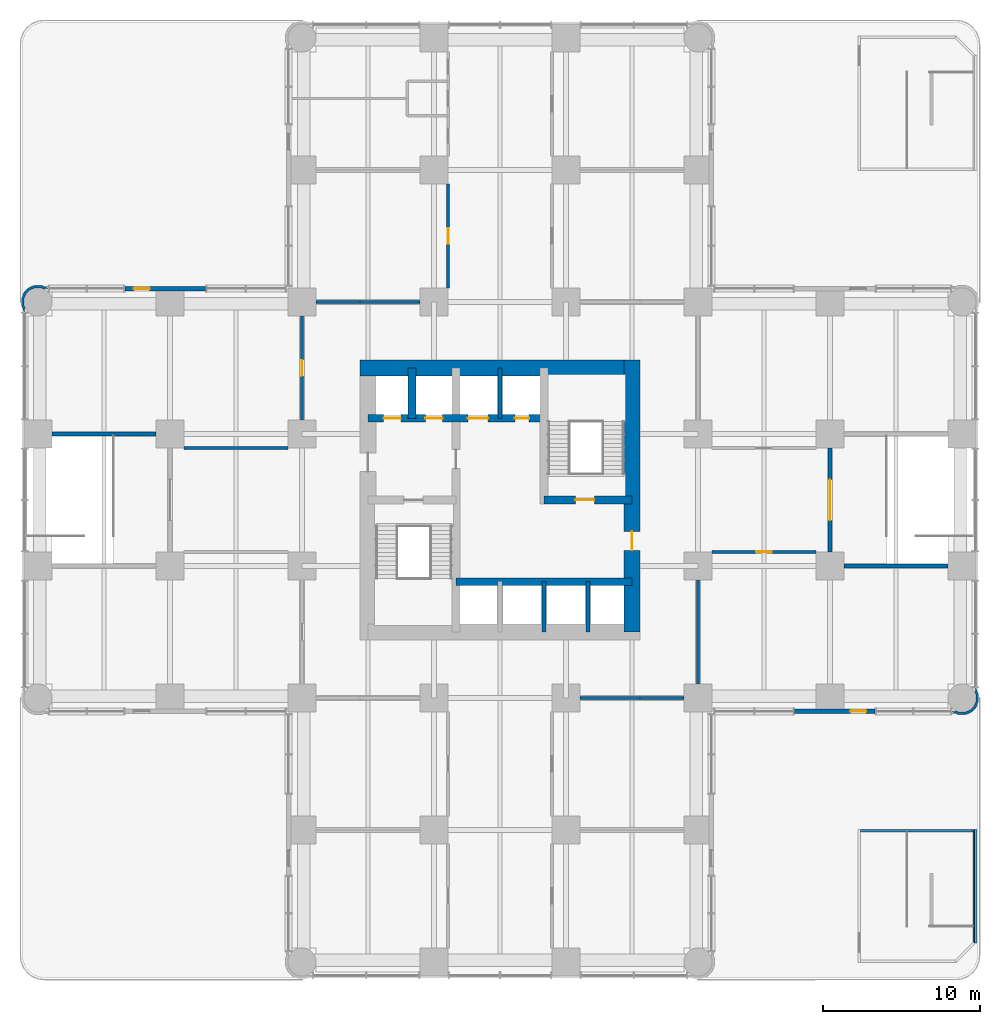
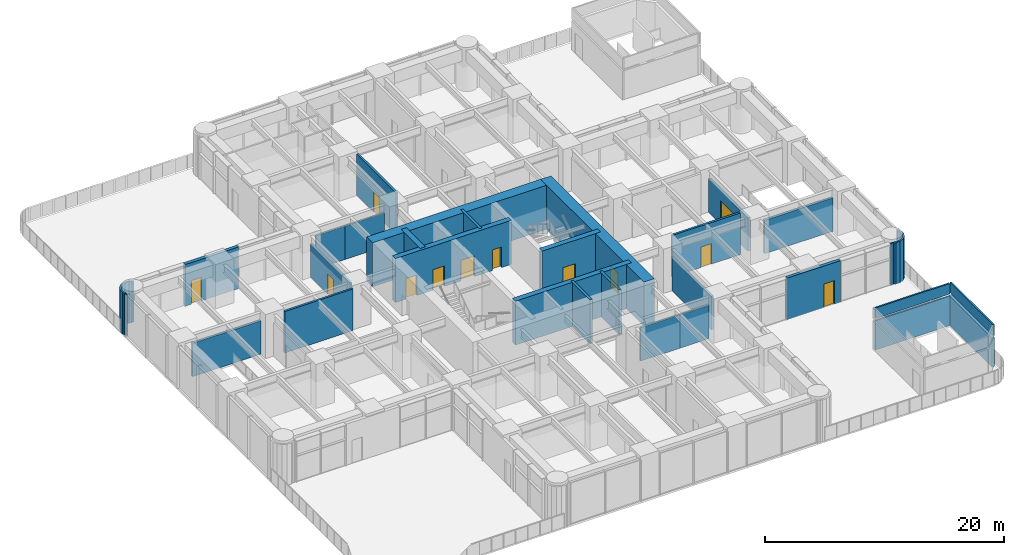
# One storey, part 11 of 21: 29 walls, 12 doors, 12 openings.
"""IFC4 building model written with IfcOpenShell, lengths in metres."""

from ifc_helpers import new_model, si_unit, direction, frame, frame_2d, origin, place, context, subcontext, project, spatial, polyline, rectangle, outline, extrude, material, layer, layer_set, type_object, element, fill, save


model = new_model("IFC4")

# Units and contexts
model_context = context("Model", 3, precision=1e-05, world=origin(), true_north=direction((0.0, 1.0)))
body_context = subcontext(model_context, "Body", "Model", "MODEL_VIEW")
ifc_project = project(units=[si_unit("LENGTHUNIT", "METRE"), si_unit("AREAUNIT", "SQUARE_METRE"), si_unit("VOLUMEUNIT", "CUBIC_METRE"), si_unit("PLANEANGLEUNIT", "RADIAN"), si_unit("MASSUNIT", "GRAM", prefix="KILO")], contexts=[model_context])

# Site, building, storey
site_placement = place(None, origin())
site = spatial("IfcSite", under=ifc_project, at=site_placement, CompositionType="ELEMENT")
building_placement = place(site_placement, origin())
building = spatial("IfcBuilding", under=site, at=building_placement, Name="Torre Alcanfor", CompositionType="ELEMENT")
storey_placement = place(building_placement, frame((0.0, 0.0, 24.0)))
storey = spatial("IfcBuildingStorey", under=building, at=storey_placement, Name="L05", CompositionType="ELEMENT", Elevation=24.0)

# Wall, openings, doors
ifc_material_1 = material(Name="Concrete f'c 70 MPa", Category="concrete")
ifc_layer_1 = layer(ifc_material_1, 0.5)
ifc_layer_set_1 = layer_set([ifc_layer_1], Name="Core inner wall 500 f'c70")
wall_type_1 = type_object("IfcWallType", Name="Core inner wall 500 f'c70", PredefinedType="SHEAR", material=ifc_layer_set_1)
wall_1_placement = place(storey_placement, frame((21.0, 34.60009765625, 0.0), z_axis=(0.0, 0.0, 1.0), x_axis=(1.0, 0.0, 0.0)))
wall_1 = element("IfcWall", 1, at=wall_1_placement, inside=storey, type_object=wall_type_1, Name="Core wall Y346 L05", PredefinedType="SHEAR", context=body_context, shape_type="SweptSolid", body=[
    extrude(rectangle(XDim=11.199951171875, YDim=0.5, at=frame_2d((5.60009765625, 0.0))), origin(), (0.0, 0.0, 1.0), 4.5),
])
opening_1_placement = place(wall_1_placement, frame((9.35009765625, 0.0, 0.0)))
opening_1 = element("IfcOpeningElement", 2, at=opening_1_placement, cuts=wall_1, Name="Opening D-Q1", PredefinedType="OPENING", context=body_context, shape_type="SweptSolid", body=[
    extrude(rectangle(XDim=0.89990234375, YDim=2.10009765625, at=frame_2d((0.449951171875, 1.050048828125))), frame((0.0, 0.260009765625, 0.0), z_axis=(0.0, -1.0, 0.0), x_axis=(1.0, 0.0, 0.0)), (0.0, 0.0, 1.0), 0.52001953125),
])
opening_2_placement = place(wall_1_placement, frame((1.0, 0.0, 0.0)))
opening_2 = element("IfcOpeningElement", 3, at=opening_2_placement, cuts=wall_1, Name="Opening LD2", PredefinedType="OPENING", context=body_context, shape_type="SweptSolid", body=[
    extrude(rectangle(XDim=1.10009765625, YDim=2.10009765625, at=frame_2d((0.550048828125, 1.050048828125))), frame((0.0, 0.260009765625, 0.0), z_axis=(0.0, -1.0, 0.0), x_axis=(1.0, 0.0, 0.0)), (0.0, 0.0, 1.0), 0.52001953125),
])
opening_3_placement = place(wall_1_placement, frame((3.64990234375, 0.0, 0.0)))
opening_3 = element("IfcOpeningElement", 4, at=opening_3_placement, cuts=wall_1, Name="Opening LD2", PredefinedType="OPENING", context=body_context, shape_type="SweptSolid", body=[
    extrude(rectangle(XDim=1.10009765625, YDim=2.10009765625, at=frame_2d((0.550048828125, 1.050048828125))), frame((0.0, 0.260009765625, 0.0), z_axis=(0.0, -1.0, 0.0), x_axis=(1.0, 0.0, 0.0)), (0.0, 0.0, 1.0), 0.52001953125),
])
opening_4_placement = place(wall_1_placement, frame((6.35009765625, 0.0, 0.0)))
opening_4 = element("IfcOpeningElement", 5, at=opening_4_placement, cuts=wall_1, Name="Opening LD3", PredefinedType="OPENING", context=body_context, shape_type="SweptSolid", body=[
    extrude(rectangle(XDim=1.300048828125, YDim=2.10009765625, at=frame_2d((0.64990234375, 1.050048828125))), frame((0.0, 0.260009765625, 0.0), z_axis=(0.0, -1.0, 0.0), x_axis=(1.0, 0.0, 0.0)), (0.0, 0.0, 1.0), 0.52001953125),
])
ifc_material_2 = material(Name="Galvanised steel sheet ASTM A653", Category="steel")
door_type_1 = type_object("IfcDoorType", Name="Firefighting lift landing door 1100x2100", OperationType="DOUBLE_DOOR_SLIDING", PredefinedType="DOOR", material=ifc_material_2)
door_1_placement = place(opening_2_placement, origin())
door_1 = element("IfcDoor", 6, at=door_1_placement, inside=storey, type_object=door_type_1, Name="Lift landing door FL1 L05", OperationType="DOUBLE_DOOR_SLIDING", OverallHeight=2.10009765625, OverallWidth=1.10009765625, PredefinedType="DOOR", context=body_context, shape_type="SweptSolid", body=[
    extrude(rectangle(XDim=1.10009765625, YDim=2.10009765625, at=frame_2d((0.550048828125, 1.050048828125))), frame((0.0, 0.02490234375, 0.0), z_axis=(0.0, -1.0, 0.0), x_axis=(1.0, 0.0, 0.0)), (0.0, 0.0, 1.0), 0.050048828125),
])
fill(opening_2, door_1)
door_2_placement = place(opening_3_placement, origin())
door_2 = element("IfcDoor", 7, at=door_2_placement, inside=storey, type_object=door_type_1, Name="Lift landing door FL2 L05", OperationType="DOUBLE_DOOR_SLIDING", OverallHeight=2.10009765625, OverallWidth=1.10009765625, PredefinedType="DOOR", context=body_context, shape_type="SweptSolid", body=[
    extrude(rectangle(XDim=1.10009765625, YDim=2.10009765625, at=frame_2d((0.550048828125, 1.050048828125))), frame((0.0, 0.02490234375, 0.0), z_axis=(0.0, -1.0, 0.0), x_axis=(1.0, 0.0, 0.0)), (0.0, 0.0, 1.0), 0.050048828125),
])
fill(opening_3, door_2)
ifc_material_3 = material(Name="Galvanised steel sheet ASTM A653", Category="steel")
door_type_2 = type_object("IfcDoorType", Name="Riser access door FD120 900x2100", OperationType="SINGLE_SWING_LEFT", PredefinedType="DOOR", material=ifc_material_3)
door_3_placement = place(opening_1_placement, origin())
door_3 = element("IfcDoor", 8, at=door_3_placement, inside=storey, type_object=door_type_2, Name="Riser door L05", OperationType="SINGLE_SWING_LEFT", OverallHeight=2.10009765625, OverallWidth=0.89990234375, PredefinedType="DOOR", context=body_context, shape_type="SweptSolid", body=[
    extrude(rectangle(XDim=0.89990234375, YDim=2.10009765625, at=frame_2d((0.449951171875, 1.050048828125))), frame((0.0, 0.02490234375, 0.0), z_axis=(0.0, -1.0, 0.0), x_axis=(1.0, 0.0, 0.0)), (0.0, 0.0, 1.0), 0.050048828125),
])
fill(opening_1, door_3)
ifc_material_4 = material(Name="Galvanised steel sheet ASTM A653", Category="steel")
door_type_3 = type_object("IfcDoorType", Name="Service lift landing door 1300x2100", OperationType="DOUBLE_DOOR_SLIDING", PredefinedType="DOOR", material=ifc_material_4)
door_4_placement = place(opening_4_placement, origin())
door_4 = element("IfcDoor", 9, at=door_4_placement, inside=storey, type_object=door_type_3, Name="Lift landing door SL1 L05", OperationType="DOUBLE_DOOR_SLIDING", OverallHeight=2.10009765625, OverallWidth=1.300048828125, PredefinedType="DOOR", context=body_context, shape_type="SweptSolid", body=[
    extrude(rectangle(XDim=1.300048828125, YDim=2.10009765625, at=frame_2d((0.64990234375, 1.050048828125))), frame((0.0, 0.02490234375, 0.0), z_axis=(0.0, -1.0, 0.0), x_axis=(1.0, 0.0, 0.0)), (0.0, 0.0, 1.0), 0.050048828125),
])
fill(opening_4, door_4)

# Walls
wall_2_placement = place(storey_placement, frame((23.800048828125, 34.60009765625, 0.0), z_axis=(0.0, 0.0, 1.0), x_axis=(0.0, 1.0, 0.0)))
element("IfcWall", 10, at=wall_2_placement, inside=storey, type_object=wall_type_1, Name="Core wall X238 L05", PredefinedType="SHEAR", context=body_context, shape_type="SweptSolid", body=[
    extrude(rectangle(XDim=3.199951171875, YDim=0.5, at=frame_2d((1.60009765625, 0.0))), origin(), (0.0, 0.0, 1.0), 4.5),
])
wall_3_placement = place(storey_placement, frame((26.60009765625, 24.199951171875, 0.0), z_axis=(0.0, 0.0, 1.0), x_axis=(1.0, 0.0, 0.0)))
element("IfcWall", 11, at=wall_3_placement, inside=storey, type_object=wall_type_1, Name="Core wall Y242 L05", PredefinedType="SHEAR", context=body_context, shape_type="SweptSolid", body=[
    extrude(rectangle(XDim=11.199951171875, YDim=0.5, at=frame_2d((5.60009765625, 0.0))), origin(), (0.0, 0.0, 1.0), 4.5),
])

# Wall, opening, door
wall_4_placement = place(storey_placement, frame((32.199951171875, 29.39990234375, 0.0), z_axis=(0.0, 0.0, 1.0), x_axis=(1.0, 0.0, 0.0)))
wall_4 = element("IfcWall", 12, at=wall_4_placement, inside=storey, type_object=wall_type_1, Name="Core wall Y294E L05", PredefinedType="SHEAR", context=body_context, shape_type="SweptSolid", body=[
    extrude(rectangle(XDim=5.60009765625, YDim=0.5, at=frame_2d((2.800048828125, 0.0))), origin(), (0.0, 0.0, 1.0), 4.5),
])
opening_5_placement = place(wall_4_placement, frame((2.0, 0.0, 0.0)))
opening_5 = element("IfcOpeningElement", 13, at=opening_5_placement, cuts=wall_4, Name="Opening D-S2", PredefinedType="OPENING", context=body_context, shape_type="SweptSolid", body=[
    extrude(rectangle(XDim=1.199951171875, YDim=2.10009765625, at=frame_2d((0.60009765625, 1.050048828125))), frame((0.0, 0.260009765625, 0.0), z_axis=(0.0, -1.0, 0.0), x_axis=(1.0, 0.0, 0.0)), (0.0, 0.0, 1.0), 0.52001953125),
])
ifc_material_5 = material(Name="Galvanised steel sheet ASTM A653", Category="steel")
door_type_4 = type_object("IfcDoorType", Name="Stair enclosure door FD120 1200x2100", OperationType="SINGLE_SWING_LEFT", PredefinedType="DOOR", material=ifc_material_5)
door_5_placement = place(opening_5_placement, origin())
door_5 = element("IfcDoor", 14, at=door_5_placement, inside=storey, type_object=door_type_4, Name="Stair S2 door L05", OperationType="SINGLE_SWING_LEFT", OverallHeight=2.10009765625, OverallWidth=1.199951171875, PredefinedType="DOOR", context=body_context, shape_type="SweptSolid", body=[
    extrude(rectangle(XDim=1.199951171875, YDim=2.10009765625, at=frame_2d((0.60009765625, 1.050048828125))), frame((0.0, 0.02490234375, 0.0), z_axis=(0.0, -1.0, 0.0), x_axis=(1.0, 0.0, 0.0)), (0.0, 0.0, 1.0), 0.050048828125),
])
fill(opening_5, door_5)

# Walls
ifc_material_6 = material(Name="Concrete f'c 70 MPa", Category="concrete")
ifc_layer_2 = layer(ifc_material_6, 0.25)
ifc_layer_set_2 = layer_set([ifc_layer_2], Name="Core shaft wall 250 f'c70")
wall_type_2 = type_object("IfcWallType", Name="Core shaft wall 250 f'c70", PredefinedType="SHEAR", material=ifc_layer_set_2)
for number, where, z_axis, x_axis, name in (
    (15, (32.199951171875, 21.0, 0.0), (0.0, 0.0, 1.0), (0.0, 1.0, 0.0), "Core wall X322S L05"),
    (16, (35.0, 21.0, 0.0), (0.0, 0.0, 1.0), (0.0, 1.0, 0.0), "Core wall X350S L05"),
    (17, (29.39990234375, 34.60009765625, 0.0), (0.0, 0.0, 1.0), (0.0, 1.0, 0.0), "Core wall X294N L05"),
):
    element("IfcWall", number, at=place(storey_placement, frame(where, z_axis=z_axis, x_axis=x_axis)), inside=storey, type_object=wall_type_2, Name=name, PredefinedType="SHEAR", context=body_context, shape_type="SweptSolid", body=[
        extrude(rectangle(XDim=3.199951171875, YDim=0.25, at=frame_2d((1.60009765625, 0.0))), origin(), (0.0, 0.0, 1.0), 4.5),
    ])

# Wall, opening, door
ifc_material_7 = material(Name="Concrete f'c 70 MPa", Category="concrete")
ifc_layer_3 = layer(ifc_material_7, 1.0)
ifc_layer_set_3 = layer_set([ifc_layer_3], Name="Core wall 1000 f'c70")
wall_type_3 = type_object("IfcWallType", Name="Core wall 1000 f'c70", PredefinedType="SHEAR", material=ifc_layer_set_3)
wall_5_placement = place(storey_placement, frame((37.800048828125, 21.0, 0.0), z_axis=(0.0, 0.0, 1.0), x_axis=(0.0, 1.0, 0.0)))
wall_5 = element("IfcWall", 18, at=wall_5_placement, inside=storey, type_object=wall_type_3, Name="Core wall OUT-E L05", PredefinedType="SHEAR", context=body_context, shape_type="SweptSolid", body=[
    extrude(rectangle(XDim=17.300048828125, YDim=1.0, at=frame_2d((8.64990234375, 0.0))), origin(), (0.0, 0.0, 1.0), 4.5),
])
opening_6_placement = place(wall_5_placement, frame((5.199951171875, 0.0, 0.0)))
opening_6 = element("IfcOpeningElement", 19, at=opening_6_placement, cuts=wall_5, Name="Opening D-L1", PredefinedType="OPENING", context=body_context, shape_type="SweptSolid", body=[
    extrude(rectangle(XDim=1.199951171875, YDim=2.10009765625, at=frame_2d((0.60009765625, 1.050048828125))), frame((0.0, 0.510009765625, 0.0), z_axis=(0.0, -1.0, 0.0), x_axis=(1.0, 0.0, 0.0)), (0.0, 0.0, 1.0), 1.02001953125),
])
ifc_material_8 = material(Name="Galvanised steel sheet ASTM A653", Category="steel")
door_type_5 = type_object("IfcDoorType", Name="Lobby door FD120 1200x2100", OperationType="SINGLE_SWING_LEFT", PredefinedType="DOOR", material=ifc_material_8)
door_6_placement = place(opening_6_placement, frame((1.199951171875, 0.0, 0.0), z_axis=(0.0, 0.0, 1.0), x_axis=(-1.0, 0.0, 0.0)))
door_6 = element("IfcDoor", 20, at=door_6_placement, inside=storey, type_object=door_type_5, Name="Lift lobby entrance door L05", OperationType="SINGLE_SWING_RIGHT", OverallHeight=2.10009765625, OverallWidth=1.199951171875, PredefinedType="DOOR", context=body_context, shape_type="SweptSolid", body=[
    extrude(rectangle(XDim=1.199951171875, YDim=2.10009765625, at=frame_2d((0.599853515625, 1.050048828125))), frame((0.0, 0.025146484375, 0.0), z_axis=(0.0, -1.0, 0.0), x_axis=(1.0, 0.0, 0.0)), (0.0, 0.0, 1.0), 0.050048828125),
])
fill(opening_6, door_6)

# Wall
wall_6_placement = place(storey_placement, frame((37.800048828125, 37.800048828125, 0.0), z_axis=(0.0, 0.0, 1.0), x_axis=(-1.0, 0.0, 0.0)))
element("IfcWall", 21, at=wall_6_placement, inside=storey, type_object=wall_type_3, Name="Core wall OUT-N L05", PredefinedType="SHEAR", context=body_context, shape_type="SweptSolid", body=[
    extrude(rectangle(XDim=17.300048828125, YDim=1.0, at=frame_2d((8.64990234375, 0.0))), origin(), (0.0, 0.0, 1.0), 4.5),
])

# Wall, opening, door
ifc_material_9 = material(Name="Limestone cladding", Category="masonry")
ifc_layer_4 = layer(ifc_material_9, 0.0400390625, Name="Facing")
ifc_material_10 = material(Name="Ventilated air cavity")
ifc_layer_5 = layer(ifc_material_10, 0.02001953125, ventilated=True, Name="Ventilated joint")
ifc_material_11 = material(Name="Mineral wool insulation", Category="insulation")
ifc_layer_6 = layer(ifc_material_11, 0.10009765625, Name="Insulation")
ifc_material_12 = material(Name="Concrete f'c 35 MPa", Category="concrete")
ifc_layer_7 = layer(ifc_material_12, 0.139892578125, Name="Backing")
ifc_layer_set_4 = layer_set([ifc_layer_4, ifc_layer_5, ifc_layer_6, ifc_layer_7], Name="External wall stone-clad 300")
wall_type_4 = type_object("IfcWallType", Name="External wall stone-clad 300", PredefinedType="SOLIDWALL", material=ifc_layer_set_4)
wall_7_placement = place(storey_placement, frame((10.666748046875, 42.85009765625, 0.0), z_axis=(0.0, 0.0, 1.0), x_axis=(-1.0, 0.0, 0.0)))
wall_7 = element("IfcWall", 22, at=wall_7_placement, inside=storey, type_object=wall_type_4, Name="External wall L05 1", PredefinedType="SOLIDWALL", context=body_context, shape_type="SweptSolid", body=[
    extrude(rectangle(XDim=5.133544921875, YDim=0.300048828125, at=frame_2d((2.56689453125, 0.0))), origin(), (0.0, 0.0, 1.0), 4.25),
])
opening_7_placement = place(wall_7_placement, frame((3.56689453125, 0.0, 0.0)))
opening_7 = element("IfcOpeningElement", 23, at=opening_7_placement, cuts=wall_7, Name="Opening D-T1", PredefinedType="OPENING", context=body_context, shape_type="SweptSolid", body=[
    extrude(rectangle(XDim=1.0, YDim=2.39990234375, at=frame_2d((0.5, 1.199951171875))), frame((0.0, 0.159912109375, 0.0), z_axis=(0.0, -1.0, 0.0), x_axis=(1.0, 0.0, 0.0)), (0.0, 0.0, 1.0), 0.320068359375),
])
ifc_material_13 = material(Name="Aluminium and glass", Category="aluminium")
door_type_6 = type_object("IfcDoorType", Name="Play deck door glazed 1000x2400", OperationType="SINGLE_SWING_RIGHT", PredefinedType="DOOR", material=ifc_material_13)
door_7_placement = place(opening_7_placement, origin())
door_7 = element("IfcDoor", 24, at=door_7_placement, inside=storey, type_object=door_type_6, Name="Play deck door L05 1.1", OperationType="SINGLE_SWING_LEFT", OverallHeight=2.39990234375, OverallWidth=1.0, PredefinedType="DOOR", context=body_context, shape_type="SweptSolid", body=[
    extrude(rectangle(XDim=1.0, YDim=2.39990234375, at=frame_2d((0.5, 1.199951171875))), frame((0.0, 0.02490234375, 0.0), z_axis=(0.0, -1.0, 0.0), x_axis=(1.0, 0.0, 0.0)), (0.0, 0.0, 1.0), 0.050048828125),
])
fill(opening_7, door_7)

wall_8_placement = place(storey_placement, frame((48.13330078125, 15.949951171875, 0.0), z_axis=(0.0, 0.0, 1.0), x_axis=(1.0, 0.0, 0.0)))
wall_8 = element("IfcWall", 25, at=wall_8_placement, inside=storey, type_object=wall_type_4, Name="External wall L05 7", PredefinedType="SOLIDWALL", context=body_context, shape_type="SweptSolid", body=[
    extrude(rectangle(XDim=5.13330078125, YDim=0.300048828125, at=frame_2d((2.566650390625, 0.0))), origin(), (0.0, 0.0, 1.0), 4.25),
])
opening_8_placement = place(wall_8_placement, frame((3.56689453125, 0.0, 0.0)))
opening_8 = element("IfcOpeningElement", 26, at=opening_8_placement, cuts=wall_8, Name="Opening D-T1", PredefinedType="OPENING", context=body_context, shape_type="SweptSolid", body=[
    extrude(rectangle(XDim=1.0, YDim=2.39990234375, at=frame_2d((0.5, 1.199951171875))), frame((0.0, 0.159912109375, 0.0), z_axis=(0.0, -1.0, 0.0), x_axis=(1.0, 0.0, 0.0)), (0.0, 0.0, 1.0), 0.320068359375),
])
door_8_placement = place(opening_8_placement, origin())
door_8 = element("IfcDoor", 27, at=door_8_placement, inside=storey, type_object=door_type_6, Name="Play deck door L05 7.1", OperationType="SINGLE_SWING_LEFT", OverallHeight=2.39990234375, OverallWidth=1.0, PredefinedType="DOOR", context=body_context, shape_type="SweptSolid", body=[
    extrude(rectangle(XDim=1.0, YDim=2.39990234375, at=frame_2d((0.5, 1.199951171875))), frame((0.0, 0.02490234375, 0.0), z_axis=(0.0, -1.0, 0.0), x_axis=(1.0, 0.0, 0.0)), (0.0, 0.0, 1.0), 0.050048828125),
])
fill(opening_8, door_8)

# Walls
ifc_material_14 = material(Name="Concrete f'c 35 MPa", Category="concrete")
ifc_layer_8 = layer(ifc_material_14, 0.14990234375)
ifc_layer_set_5 = layer_set([ifc_layer_8], Name="Head-house parapet 150")
wall_type_5 = type_object("IfcWallType", Name="Head-house parapet 150", PredefinedType="PARAPET", material=ifc_layer_set_5)
wall_9_placement = place(storey_placement, frame((59.675048828125, 1.22509765625, 3.199951171875), z_axis=(0.0, 0.0, 1.0), x_axis=(0.0, 1.0, 0.0)))
element("IfcWall", 28, at=wall_9_placement, inside=storey, type_object=wall_type_5, Name="Head-house parapet SS3 east", PredefinedType="PARAPET", context=body_context, shape_type="SweptSolid", body=[
    extrude(rectangle(XDim=7.199951171875, YDim=0.14990234375, at=frame_2d((3.60009765625, 0.0))), origin(), (0.0, 0.0, 1.0), 1.10009765625),
])
wall_10_placement = place(storey_placement, frame((52.324951171875, 8.35009765625, 3.199951171875), z_axis=(0.0, 0.0, 1.0), x_axis=(1.0, 0.0, 0.0)))
element("IfcWall", 29, at=wall_10_placement, inside=storey, type_object=wall_type_5, Name="Head-house parapet SS3 north", PredefinedType="PARAPET", context=body_context, shape_type="SweptSolid", body=[
    extrude(rectangle(XDim=7.175048828125, YDim=0.14990234375, at=frame_2d((3.58740234375, 0.0))), origin(), (0.0, 0.0, 1.0), 1.10009765625),
])
ifc_layer_9 = layer(ifc_material_9, 0.0400390625, Name="Facing")
ifc_layer_10 = layer(ifc_material_10, 0.02001953125, ventilated=True, Name="Ventilated joint")
ifc_layer_11 = layer(ifc_material_11, 0.10009765625, Name="Insulation")
ifc_layer_12 = layer(ifc_material_12, 0.139892578125, Name="Backing")
ifc_layer_set_6 = layer_set([ifc_layer_9, ifc_layer_10, ifc_layer_11, ifc_layer_12], Name="Rounded corner pier stone-clad 300")
wall_type_6 = type_object("IfcWallType", Name="Rounded corner pier stone-clad 300", PredefinedType="SOLIDWALL", material=ifc_layer_set_6)
wall_11_placement = place(storey_placement, frame((0.594780593, 42.77886844, 0.0), z_axis=(0.0, 0.0, 1.0), x_axis=(-0.707106781187, 0.707106781187, 0.0)))
element("IfcWall", 30, at=wall_11_placement, inside=storey, type_object=wall_type_6, Name="Corner pier L05 13", PredefinedType="SOLIDWALL", context=body_context, shape_type="SweptSolid", body=[
    extrude(outline(polyline([(0.011907598557282649, -0.0888257251006783), (0.08078836166603082, -0.08865309160917767), (0.2786263429257436, -0.006824816637882841), (0.29416335716079955, -0.018563894059925146), (0.3147067426493736, 0.008194297122671251), (0.4704221519829346, 0.07275922294390388), (0.7683875583130081, 0.3707246292739773), (0.9297998728660896, 0.7603584195908811), (0.9297998728660896, 1.182274672818401), (0.768387558313008, 1.5719084631353049), (0.47042215198293447, 1.8698738694653785), (0.3147067426493735, 1.9344387952866111), (0.29416335716079955, 1.9611969864692076), (0.2786263429257435, 1.9494579090471653), (0.08078836166603076, 2.0312861840184597), (0.011907598557282517, 2.031458817509961), (0.1740104470763666, 1.8693559689908765), (0.13292367609921862, 1.837591406554762), (0.38013483592810926, 1.7350471126033926), (0.6335608014510223, 1.4816211470804797), (0.7709770606855173, 1.1505101103822868), (0.7709770606855173, 0.7921229820269955), (0.6335608014510223, 0.46101194532880263), (0.3801348359281093, 0.2075859798058896), (0.13292367609921865, 0.10504168585452019), (0.17401044707636668, 0.07327712341840573), (0.011907598557282649, -0.0888257251006783)])), origin(), (0.0, 0.0, 1.0), 4.25),
])
wall_12_placement = place(storey_placement, frame((58.205219407, 16.02113156, 0.0), z_axis=(0.0, 0.0, 1.0), x_axis=(0.707106781187, -0.707106781187, 0.0)))
element("IfcWall", 31, at=wall_12_placement, inside=storey, type_object=wall_type_6, Name="Corner pier L05 17", PredefinedType="SOLIDWALL", context=body_context, shape_type="SweptSolid", body=[
    extrude(outline(polyline([(0.2941633571607968, 1.961266039865809), (0.27845370943423997, 1.949354328952266), (0.08061572817452722, 2.0311826039235608), (0.01173496506577898, 2.0313552374150614), (0.1740104470763637, 1.8690797554044767), (0.13292367609921574, 1.8376604599513637), (0.3801348359281064, 1.7351161659999943), (0.6335608014510195, 1.481690200477081), (0.7708044271940139, 1.1504065302873876), (0.7708044271940139, 0.7920194019320964), (0.6337334349425201, 0.46090836523390344), (0.380307469419607, 0.20748239971099036), (0.13292367609921574, 0.10511073925112155), (0.17418308056786438, 0.07351881030650773), (0.011907598557279735, -0.08875667170407692), (0.0807883616660279, -0.0885840382125763), (0.2786263429257407, -0.006755763241281465), (0.293990723669296, -0.01866747415482442), (0.31470674264937065, 0.008263350519272628), (0.47024951849143104, 0.07265564284900461), (0.7683875583130052, 0.3707936826705788), (0.9297998728660868, 0.7604274729874825), (0.929627239374586, 1.1821710927235018), (0.7685601918045057, 1.5718048830404057), (0.4704221519829316, 1.8699429228619797), (0.3147067426493707, 1.9345078486832126), (0.2941633571607968, 1.961266039865809)])), origin(), (0.0, 0.0, 1.0), 4.25),
])
ifc_material_15 = material(Name="Concrete block masonry, hollow blocks NMX-C-404 9 MPa", Category="masonry")
ifc_layer_13 = layer(ifc_material_15, 0.199951171875)
ifc_layer_set_7 = layer_set([ifc_layer_13], Name="School corridor wall 200")
wall_type_7 = type_object("IfcWallType", Name="School corridor wall 200", PredefinedType="PARTITIONING", material=ifc_layer_set_7)
wall_13_placement = place(storey_placement, frame((34.5, 16.800048828125, 0.0), z_axis=(0.0, 0.0, 1.0), x_axis=(1.0, 0.0, 0.0)))
element("IfcWall", 32, at=wall_13_placement, inside=storey, type_object=wall_type_7, Name="Partition L05-04 / L05-CORR2", PredefinedType="PARTITIONING", context=body_context, shape_type="SweptSolid", body=[
    extrude(rectangle(XDim=3.800048828125, YDim=0.199951171875, at=frame_2d((1.89990234375, 0.0))), origin(), (0.0, 0.0, 1.0), 3.4091796875),
])
wall_14_placement = place(storey_placement, frame((38.300048828125, 16.800048828125, 0.0), z_axis=(0.0, 0.0, 1.0), x_axis=(1.0, 0.0, 0.0)))
element("IfcWall", 33, at=wall_14_placement, inside=storey, type_object=wall_type_7, Name="Partition L05-04 / L05-LLE", PredefinedType="PARTITIONING", context=body_context, shape_type="SweptSolid", body=[
    extrude(rectangle(XDim=2.800048828125, YDim=0.199951171875, at=frame_2d((1.39990234375, 0.0))), origin(), (0.0, 0.0, 1.0), 3.4091796875),
])

# Wall, opening, door
wall_15_placement = place(storey_placement, frame((42.89990234375, 26.10009765625, 0.0), z_axis=(0.0, 0.0, 1.0), x_axis=(1.0, 0.0, 0.0)))
wall_15 = element("IfcWall", 34, at=wall_15_placement, inside=storey, type_object=wall_type_7, Name="Partition L05-06 / L05-CORR4", PredefinedType="PARTITIONING", context=body_context, shape_type="SweptSolid", body=[
    extrude(rectangle(XDim=6.60009765625, YDim=0.199951171875, at=frame_2d((3.300048828125, 0.0))), origin(), (0.0, 0.0, 1.0), 4.25),
])
opening_9_placement = place(wall_15_placement, frame((2.800048828125, 0.0, 0.0)))
opening_9 = element("IfcOpeningElement", 35, at=opening_9_placement, cuts=wall_15, Name="Opening D-C1", PredefinedType="OPENING", context=body_context, shape_type="SweptSolid", body=[
    extrude(rectangle(XDim=1.0, YDim=2.10009765625, at=frame_2d((0.5, 1.050048828125))), frame((0.0, 0.10986328125, 0.0), z_axis=(0.0, -1.0, 0.0), x_axis=(1.0, 0.0, 0.0)), (0.0, 0.0, 1.0), 0.219970703125),
])
ifc_material_16 = material(Name="Timber", Category="wood")
door_type_7 = type_object("IfcDoorType", Name="Classroom door 1000x2100", OperationType="SINGLE_SWING_RIGHT", PredefinedType="DOOR", material=ifc_material_16)
door_9_placement = place(opening_9_placement, frame((1.0, 0.0, 0.0), z_axis=(0.0, 0.0, 1.0), x_axis=(-1.0, 0.0, 0.0)))
door_9 = element("IfcDoor", 36, at=door_9_placement, inside=storey, type_object=door_type_7, Name="Door L05-06 music room", OperationType="SINGLE_SWING_RIGHT", OverallHeight=2.10009765625, OverallWidth=1.0, PredefinedType="DOOR", context=body_context, shape_type="SweptSolid", body=[
    extrude(rectangle(XDim=1.0, YDim=2.10009765625, at=frame_2d((0.5, 1.050048828125))), frame((0.0, 0.025146484375, 0.0), z_axis=(0.0, -1.0, 0.0), x_axis=(1.0, 0.0, 0.0)), (0.0, 0.0, 1.0), 0.050048828125),
])
fill(opening_9, door_9)

# Walls
wall_16_placement = place(storey_placement, frame((42.0, 17.699951171875, 0.0), z_axis=(0.0, 0.0, 1.0), x_axis=(0.0, 1.0, 0.0)))
element("IfcWall", 37, at=wall_16_placement, inside=storey, type_object=wall_type_7, Name="Partition L05-06 / L05-LLE", PredefinedType="PARTITIONING", context=body_context, shape_type="SweptSolid", body=[
    extrude(rectangle(XDim=6.60009765625, YDim=0.199951171875, at=frame_2d((3.300048828125, 0.0))), origin(), (0.0, 0.0, 1.0), 3.4091796875),
])
wall_17_placement = place(storey_placement, frame((15.89990234375, 32.699951171875, 0.0), z_axis=(0.0, 0.0, 1.0), x_axis=(-1.0, 0.0, 0.0)))
element("IfcWall", 38, at=wall_17_placement, inside=storey, type_object=wall_type_7, Name="Partition L05-08 / L05-CORR3", PredefinedType="PARTITIONING", context=body_context, shape_type="SweptSolid", body=[
    extrude(rectangle(XDim=6.599853515625, YDim=0.199951171875, at=frame_2d((3.2998046875, 0.0))), origin(), (0.0, 0.0, 1.0), 4.25),
])

# Wall, opening, door
wall_18_placement = place(storey_placement, frame((16.800048828125, 41.10009765625, 0.0), z_axis=(0.0, 0.0, 1.0), x_axis=(0.0, -1.0, 0.0)))
wall_18 = element("IfcWall", 39, at=wall_18_placement, inside=storey, type_object=wall_type_7, Name="Partition L05-08 / L05-LLW", PredefinedType="PARTITIONING", context=body_context, shape_type="SweptSolid", body=[
    extrude(rectangle(XDim=6.60009765625, YDim=0.199951171875, at=frame_2d((3.300048828125, 0.0))), origin(), (0.0, 0.0, 1.0), 3.4091796875),
])
opening_10_placement = place(wall_18_placement, frame((2.800048828125, 0.0, 0.0)))
opening_10 = element("IfcOpeningElement", 40, at=opening_10_placement, cuts=wall_18, Name="Opening D-C1", PredefinedType="OPENING", context=body_context, shape_type="SweptSolid", body=[
    extrude(rectangle(XDim=1.0, YDim=2.10009765625, at=frame_2d((0.5, 1.050048828125))), frame((0.0, 0.10986328125, 0.0), z_axis=(0.0, -1.0, 0.0), x_axis=(1.0, 0.0, 0.0)), (0.0, 0.0, 1.0), 0.219970703125),
])
door_10_placement = place(opening_10_placement, frame((1.0, 0.0, 0.0), z_axis=(0.0, 0.0, 1.0), x_axis=(-1.0, 0.0, 0.0)))
door_10 = element("IfcDoor", 41, at=door_10_placement, inside=storey, type_object=door_type_7, Name="Door L05-08 art room", OperationType="SINGLE_SWING_RIGHT", OverallHeight=2.10009765625, OverallWidth=1.0, PredefinedType="DOOR", context=body_context, shape_type="SweptSolid", body=[
    extrude(rectangle(XDim=1.0, YDim=2.10009765625, at=frame_2d((0.5, 1.050048828125))), frame((0.0, 0.025146484375, 0.0), z_axis=(0.0, -1.0, 0.0), x_axis=(1.0, 0.0, 0.0)), (0.0, 0.0, 1.0), 0.050048828125),
])
fill(opening_10, door_10)

# Wall
wall_19_placement = place(storey_placement, frame((24.300048828125, 42.0, 0.0), z_axis=(0.0, 0.0, 1.0), x_axis=(-1.0, 0.0, 0.0)))
element("IfcWall", 42, at=wall_19_placement, inside=storey, type_object=wall_type_7, Name="Partition L05-10 / L05-CORR", PredefinedType="PARTITIONING", context=body_context, shape_type="SweptSolid", body=[
    extrude(rectangle(XDim=3.800048828125, YDim=0.199951171875, at=frame_2d((1.89990234375, 0.0))), origin(), (0.0, 0.0, 1.0), 3.4091796875),
])

# Wall, opening, door
wall_20_placement = place(storey_placement, frame((26.10009765625, 49.5, 0.0), z_axis=(0.0, 0.0, 1.0), x_axis=(0.0, -1.0, 0.0)))
wall_20 = element("IfcWall", 43, at=wall_20_placement, inside=storey, type_object=wall_type_7, Name="Partition L05-10 / L05-CORR", PredefinedType="PARTITIONING", context=body_context, shape_type="SweptSolid", body=[
    extrude(rectangle(XDim=6.60009765625, YDim=0.199951171875, at=frame_2d((3.300048828125, 0.0))), origin(), (0.0, 0.0, 1.0), 4.25),
])
opening_11_placement = place(wall_20_placement, frame((2.800048828125, 0.0, 0.0)))
opening_11 = element("IfcOpeningElement", 44, at=opening_11_placement, cuts=wall_20, Name="Opening D-C1", PredefinedType="OPENING", context=body_context, shape_type="SweptSolid", body=[
    extrude(rectangle(XDim=1.0, YDim=2.10009765625, at=frame_2d((0.5, 1.050048828125))), frame((0.0, 0.10986328125, 0.0), z_axis=(0.0, -1.0, 0.0), x_axis=(1.0, 0.0, 0.0)), (0.0, 0.0, 1.0), 0.219970703125),
])
door_11_placement = place(opening_11_placement, frame((1.0, 0.0, 0.0), z_axis=(0.0, 0.0, 1.0), x_axis=(-1.0, 0.0, 0.0)))
door_11 = element("IfcDoor", 45, at=door_11_placement, inside=storey, type_object=door_type_7, Name="Door L05-10 learning resource room", OperationType="SINGLE_SWING_RIGHT", OverallHeight=2.10009765625, OverallWidth=1.0, PredefinedType="DOOR", context=body_context, shape_type="SweptSolid", body=[
    extrude(rectangle(XDim=1.0, YDim=2.10009765625, at=frame_2d((0.5, 1.050048828125))), frame((0.0, 0.025146484375, 0.0), z_axis=(0.0, -1.0, 0.0), x_axis=(1.0, 0.0, 0.0)), (0.0, 0.0, 1.0), 0.050048828125),
])
fill(opening_11, door_11)

# Walls
wall_21_placement = place(storey_placement, frame((20.5, 42.0, 0.0), z_axis=(0.0, 0.0, 1.0), x_axis=(-1.0, 0.0, 0.0)))
element("IfcWall", 46, at=wall_21_placement, inside=storey, type_object=wall_type_7, Name="Partition L05-10 / L05-LLW", PredefinedType="PARTITIONING", context=body_context, shape_type="SweptSolid", body=[
    extrude(rectangle(XDim=2.800048828125, YDim=0.199951171875, at=frame_2d((1.39990234375, 0.0))), origin(), (0.0, 0.0, 1.0), 3.4091796875),
])
ifc_material_17 = material(Name="Reinforced concrete block masonry, hollow blocks NMX-C-404 9 MPa", Category="masonry")
ifc_layer_14 = layer(ifc_material_17, 0.25)
ifc_layer_set_8 = layer_set([ifc_layer_14], Name="Stair enclosure wall 250 EI 120")
wall_type_8 = type_object("IfcWallType", Name="Stair enclosure wall 250 EI 120", PredefinedType="SOLIDWALL", material=ifc_layer_set_8)
wall_22_placement = place(storey_placement, frame((0.89990234375, 33.60009765625, 0.0), z_axis=(0.0, 0.0, 1.0), x_axis=(1.0, 0.0, 0.0)))
element("IfcWall", 47, at=wall_22_placement, inside=storey, type_object=wall_type_8, Name="Partition L05-SS1 / L05-08", PredefinedType="SOLIDWALL", context=body_context, shape_type="SweptSolid", body=[
    extrude(rectangle(XDim=6.60009765625, YDim=0.25, at=frame_2d((3.300048828125, 0.0))), origin(), (0.0, 0.0, 1.0), 3.4091796875),
])
wall_23_placement = place(storey_placement, frame((57.89990234375, 25.199951171875, 0.0), z_axis=(0.0, 0.0, 1.0), x_axis=(-1.0, 0.0, 0.0)))
element("IfcWall", 48, at=wall_23_placement, inside=storey, type_object=wall_type_8, Name="Partition L05-SS2 / L05-06", PredefinedType="SOLIDWALL", context=body_context, shape_type="SweptSolid", body=[
    extrude(rectangle(XDim=6.599853515625, YDim=0.25, at=frame_2d((3.2998046875, 0.0))), origin(), (0.0, 0.0, 1.0), 3.4091796875),
])

# Wall, opening, door
wall_24_placement = place(storey_placement, frame((50.39990234375, 26.10009765625, 0.0), z_axis=(0.0, 0.0, 1.0), x_axis=(0.0, 1.0, 0.0)))
wall_24 = element("IfcWall", 49, at=wall_24_placement, inside=storey, type_object=wall_type_8, Name="Partition L05-SS2 / L05-CORR4", PredefinedType="SOLIDWALL", context=body_context, shape_type="SweptSolid", body=[
    extrude(rectangle(XDim=6.599853515625, YDim=0.25, at=frame_2d((3.2998046875, 0.0))), origin(), (0.0, 0.0, 1.0), 3.4091796875),
])
opening_12_placement = place(wall_24_placement, frame((2.0, 0.0, 0.0)))
opening_12 = element("IfcOpeningElement", 50, at=opening_12_placement, cuts=wall_24, Name="Opening D-S4", PredefinedType="OPENING", context=body_context, shape_type="SweptSolid", body=[
    extrude(rectangle(XDim=2.60009765625, YDim=2.39990234375, at=frame_2d((1.300048828125, 1.199951171875))), frame((0.0, 0.135009765625, 0.0), z_axis=(0.0, -1.0, 0.0), x_axis=(1.0, 0.0, 0.0)), (0.0, 0.0, 1.0), 0.27001953125),
])
ifc_material_18 = material(Name="Galvanised steel sheet ASTM A653", Category="steel")
door_type_8 = type_object("IfcDoorType", Name="School stair double door FD120 2600x2400", OperationType="DOUBLE_DOOR_SINGLE_SWING", PredefinedType="DOOR", material=ifc_material_18)
door_12_placement = place(opening_12_placement, frame((2.60009765625, 0.0, 0.0), z_axis=(0.0, 0.0, 1.0), x_axis=(-1.0, 0.0, 0.0)))
door_12 = element("IfcDoor", 51, at=door_12_placement, inside=storey, type_object=door_type_8, Name="Door L05-SS2 school stair ss2", OperationType="DOUBLE_DOOR_SINGLE_SWING", OverallHeight=2.39990234375, OverallWidth=2.60009765625, PredefinedType="DOOR", context=body_context, shape_type="SweptSolid", body=[
    extrude(rectangle(XDim=2.60009765625, YDim=2.39990234375, at=frame_2d((1.300048828125, 1.199951171875))), frame((0.0, 0.025146484375, 0.0), z_axis=(0.0, -1.0, 0.0), x_axis=(1.0, 0.0, 0.0)), (0.0, 0.0, 1.0), 0.050048828125),
])
fill(opening_12, door_12)

# Walls
ifc_material_19 = material(Name="Concrete f'c 35 MPa", Category="concrete")
ifc_layer_15 = layer(ifc_material_19, 0.14990234375)
ifc_layer_set_9 = layer_set([ifc_layer_15], Name="Stair head-house wall 150 EI 120")
wall_type_9 = type_object("IfcWallType", Name="Stair head-house wall 150 EI 120", PredefinedType="SOLIDWALL", material=ifc_layer_set_9)
wall_25_placement = place(storey_placement, frame((52.324951171875, 8.35009765625, 0.0), z_axis=(0.0, 0.0, 1.0), x_axis=(1.0, 0.0, 0.0)))
element("IfcWall", 52, at=wall_25_placement, inside=storey, type_object=wall_type_9, Name="Stair head-house wall SS3 north", PredefinedType="SOLIDWALL", context=body_context, shape_type="SweptSolid", body=[
    extrude(rectangle(XDim=7.175048828125, YDim=0.14990234375, at=frame_2d((3.58740234375, 0.0))), origin(), (0.0, 0.0, 1.0), 3.0),
])
ifc_material_20 = material(Name="Concrete f'c 35 MPa", Category="concrete")
ifc_layer_16 = layer(ifc_material_20, 0.25)
ifc_layer_set_10 = layer_set([ifc_layer_16], Name="Stair head-house wall 250 EI 120")
wall_type_10 = type_object("IfcWallType", Name="Stair head-house wall 250 EI 120", PredefinedType="SOLIDWALL", material=ifc_layer_set_10)
wall_26_placement = place(storey_placement, frame((59.625, 1.22509765625, 0.0), z_axis=(0.0, 0.0, 1.0), x_axis=(0.0, 1.0, 0.0)))
element("IfcWall", 53, at=wall_26_placement, inside=storey, type_object=wall_type_10, Name="Stair head-house wall SS3 east", PredefinedType="SOLIDWALL", context=body_context, shape_type="SweptSolid", body=[
    extrude(rectangle(XDim=7.199951171875, YDim=0.25, at=frame_2d((3.60009765625, 0.0))), origin(), (0.0, 0.0, 1.0), 3.0),
])

save(model, "model.ifc")
